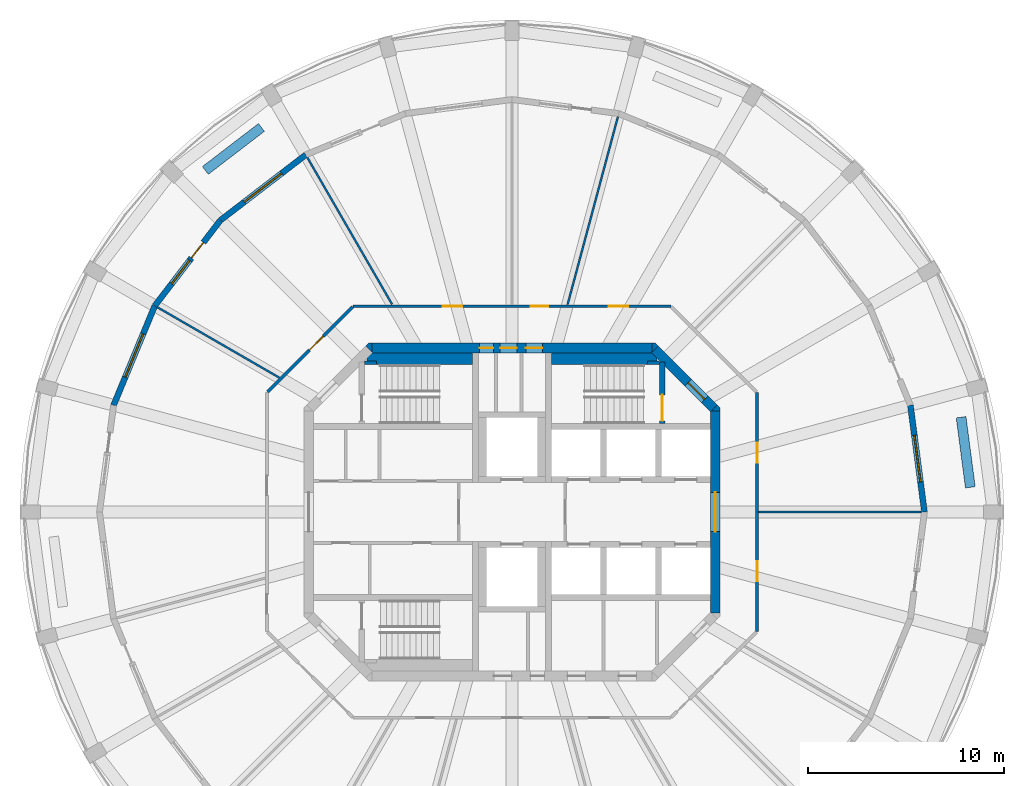
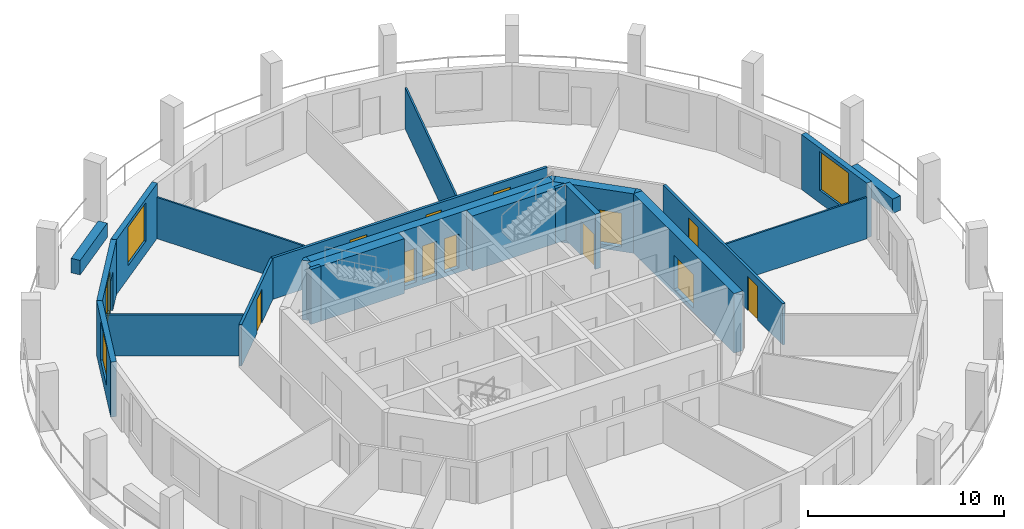
# One storey, part 5 of 8: 24 walls, 13 doors, 4 windows, 17 openings.
"""IFC4 building model written with IfcOpenShell, lengths in metres."""

from ifc_helpers import new_model, si_unit, direction, frame, frame_2d, origin, place, context, subcontext, project, spatial, polyline, rectangle, outline, extrude, material, layer, layer_set, type_object, element, fill, save


model = new_model("IFC4")

# Units and contexts
model_context = context("Model", 3, precision=1e-05, world=origin(), true_north=direction((0.0, 1.0)))
body_context = subcontext(model_context, "Body", "Model", "MODEL_VIEW")
ifc_project = project(units=[si_unit("LENGTHUNIT", "METRE"), si_unit("AREAUNIT", "SQUARE_METRE"), si_unit("VOLUMEUNIT", "CUBIC_METRE"), si_unit("PLANEANGLEUNIT", "RADIAN"), si_unit("MASSUNIT", "GRAM", prefix="KILO")], contexts=[model_context])

# Site, building, storey
site_placement = place(None, origin())
site = spatial("IfcSite", under=ifc_project, at=site_placement, CompositionType="ELEMENT")
building_placement = place(site_placement, origin())
building = spatial("IfcBuilding", under=site, at=building_placement, Name="Torre Triforio", CompositionType="ELEMENT")
storey_placement = place(building_placement, frame((0.0, 0.0, 261.199951171875)))
storey = spatial("IfcBuildingStorey", under=building, at=storey_placement, Name="L60", CompositionType="ELEMENT", Elevation=261.199951171875)

# Wall, openings, doors
ifc_material_1 = material(Name="Concrete C40", Category="concrete")
ifc_layer_1 = layer(ifc_material_1, 0.5)
ifc_layer_set_1 = layer_set([ifc_layer_1], Name="Concrete C40")
wall_type_1 = type_object("IfcWallType", Name="Core wall 500 mm C40 EI 120", PredefinedType="SHEAR", material=ifc_layer_set_1)
wall_1_placement = place(storey_placement, frame((-7.1298828125, 8.35009765625, -0.280029296875), z_axis=(0.0, 0.0, 1.0), x_axis=(1.0, 0.0, 0.0)))
wall_1 = element("IfcWall", 1, at=wall_1_placement, inside=storey, type_object=wall_type_1, Name="Core wall", PredefinedType="SHEAR", context=body_context, shape_type="SweptSolid", body=[
    extrude(rectangle(XDim=14.259765625, YDim=0.5, at=frame_2d((7.1298828125, 0.0))), origin(), (0.0, 0.0, 1.0), 3.7001953125),
])
opening_1_placement = place(wall_1_placement, frame((5.47998046875, 0.0, 0.280029296875)))
opening_1 = element("IfcOpeningElement", 2, at=opening_1_placement, cuts=wall_1, Name="Opening RISER-N", PredefinedType="OPENING", context=body_context, shape_type="SweptSolid", body=[
    extrude(rectangle(XDim=0.699951171875, YDim=2.10009765625, at=frame_2d((0.35009765625, 1.050048828125))), frame((0.0, 0.260009765625, 0.0), z_axis=(0.0, -1.0, 0.0), x_axis=(1.0, 0.0, 0.0)), (0.0, 0.0, 1.0), 0.52001953125),
])
opening_2_placement = place(wall_1_placement, frame((6.530029296875, 0.0, 0.280029296875)))
opening_2 = element("IfcOpeningElement", 3, at=opening_2_placement, cuts=wall_1, Name="Opening NE-01A", PredefinedType="OPENING", context=body_context, shape_type="SweptSolid", body=[
    extrude(rectangle(XDim=0.85009765625, YDim=2.10009765625, at=frame_2d((0.425048828125, 1.050048828125))), frame((0.0, 0.260009765625, 0.0), z_axis=(0.0, -1.0, 0.0), x_axis=(1.0, 0.0, 0.0)), (0.0, 0.0, 1.0), 0.52001953125),
])
opening_3_placement = place(wall_1_placement, frame((7.830078125, 0.0, 0.280029296875)))
opening_3 = element("IfcOpeningElement", 4, at=opening_3_placement, cuts=wall_1, Name="Opening NE-02", PredefinedType="OPENING", context=body_context, shape_type="SweptSolid", body=[
    extrude(rectangle(XDim=0.85009765625, YDim=2.10009765625, at=frame_2d((0.425048828125, 1.050048828125))), frame((0.0, 0.260009765625, 0.0), z_axis=(0.0, -1.0, 0.0), x_axis=(1.0, 0.0, 0.0)), (0.0, 0.0, 1.0), 0.52001953125),
])
ifc_material_2 = material(Name="Hollow metal fire door leaf")
door_type_1 = type_object("IfcDoorType", Name="Plant room door 850 x 2100 EI 60", OperationType="NOTDEFINED", PredefinedType="DOOR", material=ifc_material_2)
door_1_placement = place(opening_3_placement, origin())
door_1 = element("IfcDoor", 5, at=door_1_placement, inside=storey, type_object=door_type_1, Name="Core door NE-02", OperationType="SINGLE_SWING_RIGHT", OverallHeight=2.10009765625, OverallWidth=0.85009765625, PredefinedType="DOOR", context=body_context, shape_type="SweptSolid", body=[
    extrude(rectangle(XDim=0.85009765625, YDim=2.10009765625, at=frame_2d((0.425048828125, 1.050048828125))), frame((0.0, 0.02490234375, 0.0), z_axis=(0.0, -1.0, 0.0), x_axis=(1.0, 0.0, 0.0)), (0.0, 0.0, 1.0), 0.050048828125),
])
fill(opening_3, door_1)
door_type_2 = type_object("IfcDoorType", Name="Riser door 700 x 2100 EI 60", OperationType="NOTDEFINED", PredefinedType="DOOR", material=ifc_material_2)
door_2_placement = place(opening_1_placement, origin())
door_2 = element("IfcDoor", 6, at=door_2_placement, inside=storey, type_object=door_type_2, Name="Core door RISER-N", OperationType="SINGLE_SWING_LEFT", OverallHeight=2.10009765625, OverallWidth=0.699951171875, PredefinedType="DOOR", context=body_context, shape_type="SweptSolid", body=[
    extrude(rectangle(XDim=0.699951171875, YDim=2.10009765625, at=frame_2d((0.35009765625, 1.050048828125))), frame((0.0, 0.02490234375, 0.0), z_axis=(0.0, -1.0, 0.0), x_axis=(1.0, 0.0, 0.0)), (0.0, 0.0, 1.0), 0.050048828125),
])
fill(opening_1, door_2)
door_type_3 = type_object("IfcDoorType", Name="Room door 850 x 2100 EI 60", OperationType="NOTDEFINED", PredefinedType="DOOR", material=ifc_material_2)
door_3_placement = place(opening_2_placement, origin())
door_3 = element("IfcDoor", 7, at=door_3_placement, inside=storey, type_object=door_type_3, Name="Core door NE-01", OperationType="SINGLE_SWING_LEFT", OverallHeight=2.10009765625, OverallWidth=0.85009765625, PredefinedType="DOOR", context=body_context, shape_type="SweptSolid", body=[
    extrude(rectangle(XDim=0.85009765625, YDim=2.10009765625, at=frame_2d((0.425048828125, 1.050048828125))), frame((0.0, 0.02490234375, 0.0), z_axis=(0.0, -1.0, 0.0), x_axis=(1.0, 0.0, 0.0)), (0.0, 0.0, 1.0), 0.050048828125),
])
fill(opening_2, door_3)

# Wall, opening, door
wall_2_placement = place(storey_placement, frame((10.35009765625, -5.1298828125, -0.280029296875), z_axis=(0.0, 0.0, 1.0), x_axis=(0.0, 1.0, 0.0)))
wall_2 = element("IfcWall", 8, at=wall_2_placement, inside=storey, type_object=wall_type_1, Name="Core wall", PredefinedType="SHEAR", context=body_context, shape_type="SweptSolid", body=[
    extrude(rectangle(XDim=10.259765625, YDim=0.5, at=frame_2d((5.1298828125, 0.0))), origin(), (0.0, 0.0, 1.0), 3.7001953125),
])
opening_4_placement = place(wall_2_placement, frame((4.1298828125, 0.0, 0.280029296875)))
opening_4 = element("IfcOpeningElement", 9, at=opening_4_placement, cuts=wall_2, Name="Opening E-RING", PredefinedType="OPENING", context=body_context, shape_type="SweptSolid", body=[
    extrude(rectangle(XDim=2.0, YDim=2.10009765625, at=frame_2d((1.0, 1.050048828125))), frame((0.0, 0.260009765625, 0.0), z_axis=(0.0, -1.0, 0.0), x_axis=(1.0, 0.0, 0.0)), (0.0, 0.0, 1.0), 0.52001953125),
])
door_type_4 = type_object("IfcDoorType", Name="Lobby door 2000 x 2100 EI 60", OperationType="DOUBLE_DOOR_SINGLE_SWING", PredefinedType="DOOR", material=ifc_material_2)
door_4_placement = place(opening_4_placement, origin())
door_4 = element("IfcDoor", 10, at=door_4_placement, inside=storey, type_object=door_type_4, Name="Core door E-RING", OperationType="DOUBLE_DOOR_SINGLE_SWING", OverallHeight=2.10009765625, OverallWidth=2.0, PredefinedType="DOOR", context=body_context, shape_type="SweptSolid", body=[
    extrude(rectangle(XDim=2.0, YDim=2.10009765625, at=frame_2d((1.0, 1.050048828125))), frame((0.0, 0.02490234375, 0.0), z_axis=(0.0, -1.0, 0.0), x_axis=(1.0, 0.0, 0.0)), (0.0, 0.0, 1.0), 0.050048828125),
])
fill(opening_4, door_4)

wall_3_placement = place(storey_placement, frame((7.27685546875, 8.27685546875, -0.280029296875), z_axis=(0.0, 0.0, 1.0), x_axis=(0.707106781187, -0.707106781187, 0.0)))
wall_3 = element("IfcWall", 11, at=wall_3_placement, inside=storey, type_object=wall_type_1, Name="Core wall", PredefinedType="SHEAR", context=body_context, shape_type="SweptSolid", body=[
    extrude(rectangle(XDim=4.24267578125, YDim=0.5, at=frame_2d((2.121337890625, 0.0))), origin(), (0.0, 0.0, 1.0), 3.7001953125),
])
opening_5_placement = place(wall_3_placement, frame((2.392578125, 0.0, 0.280029296875)))
opening_5 = element("IfcOpeningElement", 12, at=opening_5_placement, cuts=wall_3, Name="Opening ST2-EXIT", PredefinedType="OPENING", context=body_context, shape_type="SweptSolid", body=[
    extrude(rectangle(XDim=1.199951171875, YDim=2.10009765625, at=frame_2d((0.60009765625, 1.050048828125))), frame((0.0, 0.260009765625, 0.0), z_axis=(0.0, -1.0, 0.0), x_axis=(1.0, 0.0, 0.0)), (0.0, 0.0, 1.0), 0.52001953125),
])
door_type_5 = type_object("IfcDoorType", Name="Stair lobby door 1200 x 2100 EI 60", OperationType="NOTDEFINED", PredefinedType="DOOR", material=ifc_material_2)
door_5_placement = place(opening_5_placement, origin())
door_5 = element("IfcDoor", 13, at=door_5_placement, inside=storey, type_object=door_type_5, Name="Core door ST2-EXIT", OperationType="SINGLE_SWING_RIGHT", OverallHeight=2.10009765625, OverallWidth=1.199951171875, PredefinedType="DOOR", context=body_context, shape_type="SweptSolid", body=[
    extrude(rectangle(XDim=1.199951171875, YDim=2.10009765625, at=frame_2d((0.60009765625, 1.050048828125))), frame((0.0, 0.02490234375, 0.0), z_axis=(0.0, -1.0, 0.0), x_axis=(1.0, 0.0, 0.0)), (0.0, 0.0, 1.0), 0.050048828125),
])
fill(opening_5, door_5)

# Walls
wall_4_placement = place(storey_placement, frame((0.0, 0.0, -0.280029296875)))
element("IfcWall", 14, at=wall_4_placement, inside=storey, type_object=wall_type_1, Name="Core wall", PredefinedType="SHEAR", context=body_context, shape_type="SweptSolid", body=[
    extrude(outline(polyline([(10.60009765625, 5.30712890625), (10.60009765625, 5.1298828125), (10.1298828125, 5.1298828125), (10.45361328125, 5.45361328125), (10.60009765625, 5.30712890625)])), origin(), (0.0, 0.0, 1.0), 3.7001953125),
])
wall_5_placement = place(storey_placement, frame((0.0, 0.0, -0.280029296875)))
element("IfcWall", 15, at=wall_5_placement, inside=storey, type_object=wall_type_1, Name="Core wall", PredefinedType="SHEAR", context=body_context, shape_type="SweptSolid", body=[
    extrude(outline(polyline([(-7.30712890625, 8.60009765625), (-7.1298828125, 8.60009765625), (-7.1298828125, 8.1298828125), (-7.45361328125, 8.45361328125), (-7.30712890625, 8.60009765625)])), origin(), (0.0, 0.0, 1.0), 3.7001953125),
])
wall_6_placement = place(storey_placement, frame((0.0, 0.0, -0.280029296875)))
element("IfcWall", 16, at=wall_6_placement, inside=storey, type_object=wall_type_1, Name="Core wall", PredefinedType="SHEAR", context=body_context, shape_type="SweptSolid", body=[
    extrude(outline(polyline([(7.30712890625, 8.60009765625), (7.45361328125, 8.45361328125), (7.1298828125, 8.1298828125), (7.1298828125, 8.60009765625), (7.30712890625, 8.60009765625)])), origin(), (0.0, 0.0, 1.0), 3.7001953125),
])

# Wall, opening, door
ifc_material_3 = material(Name="Plasterboard on metal studs")
ifc_layer_2 = layer(ifc_material_3, 0.14990234375)
ifc_layer_set_2 = layer_set([ifc_layer_2], Name="Plasterboard on metal studs")
wall_type_2 = type_object("IfcWallType", Name="Corridor and tenancy wall 150 mm EI 60", PredefinedType="PARTITIONING", material=ifc_layer_set_2)
wall_7_placement = place(storey_placement, frame((-12.43798828125, 6.120849609375, 0.0), z_axis=(0.0, 0.0, 1.0), x_axis=(0.707106781187, 0.707106781187, 0.0)))
wall_7 = element("IfcWall", 17, at=wall_7_placement, inside=storey, type_object=wall_type_2, Name="Partition 5", PredefinedType="PARTITIONING", context=body_context, shape_type="SweptSolid", body=[
    extrude(rectangle(XDim=6.10546875, YDim=0.14990234375, at=frame_2d((3.052734375, 0.0))), origin(), (0.0, 0.0, 1.0), 2.570068359375),
])
opening_6_placement = place(wall_7_placement, frame((3.001953125, 0.0, 0.0)))
opening_6 = element("IfcOpeningElement", 18, at=opening_6_placement, cuts=wall_7, Name="Opening E1-04", PredefinedType="OPENING", context=body_context, shape_type="SweptSolid", body=[
    extrude(rectangle(XDim=1.0, YDim=2.10009765625, at=frame_2d((0.5, 1.050048828125))), frame((0.0, 0.0849609375, 0.0), z_axis=(0.0, -1.0, 0.0), x_axis=(1.0, 0.0, 0.0)), (0.0, 0.0, 1.0), 0.169921875),
])
ifc_material_4 = material(Name="Timber", Category="wood")
door_type_6 = type_object("IfcDoorType", Name="Door 1000 x 2100 single leaf EI 30", OperationType="NOTDEFINED", PredefinedType="DOOR", material=ifc_material_4)
door_6_placement = place(opening_6_placement, origin())
door_6 = element("IfcDoor", 19, at=door_6_placement, inside=storey, type_object=door_type_6, Name="Door E1-04", OperationType="SINGLE_SWING_LEFT", OverallHeight=2.10009765625, OverallWidth=1.0, PredefinedType="DOOR", context=body_context, shape_type="SweptSolid", body=[
    extrude(rectangle(XDim=1.0, YDim=2.10009765625, at=frame_2d((0.5, 1.050048828125))), frame((0.0, 0.02490234375, 0.0), z_axis=(0.0, -1.0, 0.0), x_axis=(1.0, 0.0, 0.0)), (0.0, 0.0, 1.0), 0.050048828125),
])
fill(opening_6, door_6)

# Wall, openings, doors
wall_8_placement = place(storey_placement, frame((-8.083740234375, 10.47509765625, 0.0), z_axis=(0.0, 0.0, 1.0), x_axis=(1.0, 0.0, 0.0)))
wall_8 = element("IfcWall", 20, at=wall_8_placement, inside=storey, type_object=wall_type_2, Name="Partition 6", PredefinedType="PARTITIONING", context=body_context, shape_type="SweptSolid", body=[
    extrude(rectangle(XDim=16.16748046875, YDim=0.14990234375, at=frame_2d((8.083740234375, 0.0))), origin(), (0.0, 0.0, 1.0), 2.570068359375),
])
opening_7_placement = place(wall_8_placement, frame((13.00390625, 0.0, 0.0)))
opening_7 = element("IfcOpeningElement", 21, at=opening_7_placement, cuts=wall_8, Name="Opening E1-01", PredefinedType="OPENING", context=body_context, shape_type="SweptSolid", body=[
    extrude(rectangle(XDim=1.0, YDim=2.10009765625, at=frame_2d((0.5, 1.050048828125))), frame((0.0, 0.0849609375, 0.0), z_axis=(0.0, -1.0, 0.0), x_axis=(1.0, 0.0, 0.0)), (0.0, 0.0, 1.0), 0.169921875),
])
opening_8_placement = place(wall_8_placement, frame((9.0380859375, 0.0, 0.0)))
opening_8 = element("IfcOpeningElement", 22, at=opening_8_placement, cuts=wall_8, Name="Opening E1-02", PredefinedType="OPENING", context=body_context, shape_type="SweptSolid", body=[
    extrude(rectangle(XDim=0.89990234375, YDim=2.10009765625, at=frame_2d((0.449951171875, 1.050048828125))), frame((0.0, 0.0849609375, 0.0), z_axis=(0.0, -1.0, 0.0), x_axis=(1.0, 0.0, 0.0)), (0.0, 0.0, 1.0), 0.169921875),
])
opening_9_placement = place(wall_8_placement, frame((4.555908203125, 0.0, 0.0)))
opening_9 = element("IfcOpeningElement", 23, at=opening_9_placement, cuts=wall_8, Name="Opening E1-03", PredefinedType="OPENING", context=body_context, shape_type="SweptSolid", body=[
    extrude(rectangle(XDim=1.0, YDim=2.10009765625, at=frame_2d((0.5, 1.050048828125))), frame((0.0, 0.0849609375, 0.0), z_axis=(0.0, -1.0, 0.0), x_axis=(1.0, 0.0, 0.0)), (0.0, 0.0, 1.0), 0.169921875),
])
door_7_placement = place(opening_7_placement, origin())
door_7 = element("IfcDoor", 24, at=door_7_placement, inside=storey, type_object=door_type_6, Name="Door E1-01", OperationType="SINGLE_SWING_LEFT", OverallHeight=2.10009765625, OverallWidth=1.0, PredefinedType="DOOR", context=body_context, shape_type="SweptSolid", body=[
    extrude(rectangle(XDim=1.0, YDim=2.10009765625, at=frame_2d((0.5, 1.050048828125))), frame((0.0, 0.02490234375, 0.0), z_axis=(0.0, -1.0, 0.0), x_axis=(1.0, 0.0, 0.0)), (0.0, 0.0, 1.0), 0.050048828125),
])
fill(opening_7, door_7)
door_8_placement = place(opening_9_placement, origin())
door_8 = element("IfcDoor", 25, at=door_8_placement, inside=storey, type_object=door_type_6, Name="Door E1-03", OperationType="SINGLE_SWING_LEFT", OverallHeight=2.10009765625, OverallWidth=1.0, PredefinedType="DOOR", context=body_context, shape_type="SweptSolid", body=[
    extrude(rectangle(XDim=1.0, YDim=2.10009765625, at=frame_2d((0.5, 1.050048828125))), frame((0.0, 0.02490234375, 0.0), z_axis=(0.0, -1.0, 0.0), x_axis=(1.0, 0.0, 0.0)), (0.0, 0.0, 1.0), 0.050048828125),
])
fill(opening_9, door_8)
door_type_7 = type_object("IfcDoorType", Name="Door 900 x 2100 single leaf EI 30", OperationType="NOTDEFINED", PredefinedType="DOOR", material=ifc_material_4)
door_9_placement = place(opening_8_placement, origin())
door_9 = element("IfcDoor", 26, at=door_9_placement, inside=storey, type_object=door_type_7, Name="Door E1-02", OperationType="SINGLE_SWING_LEFT", OverallHeight=2.10009765625, OverallWidth=0.89990234375, PredefinedType="DOOR", context=body_context, shape_type="SweptSolid", body=[
    extrude(rectangle(XDim=0.89990234375, YDim=2.10009765625, at=frame_2d((0.449951171875, 1.050048828125))), frame((0.0, 0.02490234375, 0.0), z_axis=(0.0, -1.0, 0.0), x_axis=(1.0, 0.0, 0.0)), (0.0, 0.0, 1.0), 0.050048828125),
])
fill(opening_8, door_9)

wall_9_placement = place(storey_placement, frame((12.47509765625, 6.083740234375, 0.0), z_axis=(0.0, 0.0, 1.0), x_axis=(0.0, -1.0, 0.0)))
wall_9 = element("IfcWall", 27, at=wall_9_placement, inside=storey, type_object=wall_type_2, Name="Partition 8", PredefinedType="PARTITIONING", context=body_context, shape_type="SweptSolid", body=[
    extrude(rectangle(XDim=12.16748046875, YDim=0.14990234375, at=frame_2d((6.083740234375, 0.0))), origin(), (0.0, 0.0, 1.0), 2.570068359375),
])
opening_10_placement = place(wall_9_placement, frame((8.6005859375, 0.0, 0.0)))
opening_10 = element("IfcOpeningElement", 28, at=opening_10_placement, cuts=wall_9, Name="Opening E1-14", PredefinedType="OPENING", context=body_context, shape_type="SweptSolid", body=[
    extrude(rectangle(XDim=1.0, YDim=2.10009765625, at=frame_2d((0.5, 1.050048828125))), frame((0.0, 0.0849609375, 0.0), z_axis=(0.0, -1.0, 0.0), x_axis=(1.0, 0.0, 0.0)), (0.0, 0.0, 1.0), 0.169921875),
])
opening_11_placement = place(wall_9_placement, frame((2.56689453125, 0.0, 0.0)))
opening_11 = element("IfcOpeningElement", 29, at=opening_11_placement, cuts=wall_9, Name="Opening E1-15", PredefinedType="OPENING", context=body_context, shape_type="SweptSolid", body=[
    extrude(rectangle(XDim=1.0, YDim=2.10009765625, at=frame_2d((0.5, 1.050048828125))), frame((0.0, 0.0849609375, 0.0), z_axis=(0.0, -1.0, 0.0), x_axis=(1.0, 0.0, 0.0)), (0.0, 0.0, 1.0), 0.169921875),
])
door_10_placement = place(opening_10_placement, origin())
door_10 = element("IfcDoor", 30, at=door_10_placement, inside=storey, type_object=door_type_6, Name="Door E1-14", OperationType="SINGLE_SWING_LEFT", OverallHeight=2.10009765625, OverallWidth=1.0, PredefinedType="DOOR", context=body_context, shape_type="SweptSolid", body=[
    extrude(rectangle(XDim=1.0, YDim=2.10009765625, at=frame_2d((0.5, 1.050048828125))), frame((0.0, 0.02490234375, 0.0), z_axis=(0.0, -1.0, 0.0), x_axis=(1.0, 0.0, 0.0)), (0.0, 0.0, 1.0), 0.050048828125),
])
fill(opening_10, door_10)
door_11_placement = place(opening_11_placement, origin())
door_11 = element("IfcDoor", 31, at=door_11_placement, inside=storey, type_object=door_type_6, Name="Door E1-15", OperationType="SINGLE_SWING_LEFT", OverallHeight=2.10009765625, OverallWidth=1.0, PredefinedType="DOOR", context=body_context, shape_type="SweptSolid", body=[
    extrude(rectangle(XDim=1.0, YDim=2.10009765625, at=frame_2d((0.5, 1.050048828125))), frame((0.0, 0.02490234375, 0.0), z_axis=(0.0, -1.0, 0.0), x_axis=(1.0, 0.0, 0.0)), (0.0, 0.0, 1.0), 0.050048828125),
])
fill(opening_11, door_11)

# Walls
ifc_layer_3 = layer(ifc_material_3, 0.10009765625)
ifc_layer_set_3 = layer_set([ifc_layer_3], Name="Plasterboard on metal studs")
wall_type_3 = type_object("IfcWallType", Name="Partition 100 mm board on metal studs", PredefinedType="PARTITIONING", material=ifc_layer_set_3)
wall_10_placement = place(storey_placement, frame((12.550048828125, 0.0, 0.0), z_axis=(0.0, 0.0, 1.0), x_axis=(1.0, 0.0, 0.0)))
element("IfcWall", 32, at=wall_10_placement, inside=storey, type_object=wall_type_3, Name="Partition 9", PredefinedType="PARTITIONING", context=body_context, shape_type="SweptSolid", body=[
    extrude(rectangle(XDim=8.28662109375, YDim=0.10009765625, at=frame_2d((4.143310546875, 0.0))), origin(), (0.0, 0.0, 1.0), 2.570068359375),
])
wall_11_placement = place(storey_placement, frame((2.830810546875, 10.564208984375, 0.0), z_axis=(0.0, 0.0, 1.0), x_axis=(0.258795254151, 0.965932200741, 0.0)))
element("IfcWall", 33, at=wall_11_placement, inside=storey, type_object=wall_type_3, Name="Partition 11", PredefinedType="PARTITIONING", context=body_context, shape_type="SweptSolid", body=[
    extrude(rectangle(XDim=9.899658203125, YDim=0.10009765625, at=frame_2d((4.94970703125, 0.0))), origin(), (0.0, 0.0, 1.0), 2.570068359375),
])
wall_12_placement = place(storey_placement, frame((-6.105224609375, 10.57470703125, 0.0), z_axis=(0.0, 0.0, 1.0), x_axis=(-0.50001399067, 0.866017326117, 0.0)))
element("IfcWall", 34, at=wall_12_placement, inside=storey, type_object=wall_type_3, Name="Partition 13", PredefinedType="PARTITIONING", context=body_context, shape_type="SweptSolid", body=[
    extrude(rectangle(XDim=8.626220703125, YDim=0.10009765625, at=frame_2d((4.31298828125, 0.0))), origin(), (0.0, 0.0, 1.0), 2.570068359375),
])
wall_13_placement = place(storey_placement, frame((-11.845947265625, 6.839111328125, 0.0), z_axis=(0.0, 0.0, 1.0), x_axis=(-0.866011787705, 0.500023583, 0.0)))
element("IfcWall", 35, at=wall_13_placement, inside=storey, type_object=wall_type_3, Name="Partition 14", PredefinedType="PARTITIONING", context=body_context, shape_type="SweptSolid", body=[
    extrude(rectangle(XDim=7.158447265625, YDim=0.10009765625, at=frame_2d((3.5791015625, 0.0))), origin(), (0.0, 0.0, 1.0), 2.570068359375),
])
ifc_material_5 = material(Name="Limestone cladding", Category="masonry")
ifc_layer_4 = layer(ifc_material_5, 0.10009765625)
ifc_layer_5 = layer(ifc_material_1, 0.39990234375)
ifc_layer_set_4 = layer_set([ifc_layer_4, ifc_layer_5], Name="Limestone cladding / Concrete C40")
wall_type_4 = type_object("IfcWallType", Name="Planter wall 500", PredefinedType="PARAPET", material=ifc_layer_set_4)
for number, where, z_axis, x_axis, name in (
    (36, (23.335693359375, 1.256591796875, 0.0), (0.0, 0.0, 1.0), (-0.130542222659, 0.991442750795, 0.0), "Planter L60 bay 01"),
    (37, (-12.756103515625, 19.580810546875, 0.0), (0.0, 0.0, 1.0), (-0.793384730612, -0.608720518162, 0.0), "Planter L60 bay 09"),
):
    element("IfcWall", number, at=place(storey_placement, frame(where, z_axis=z_axis, x_axis=x_axis)), inside=storey, type_object=wall_type_4, Name=name, PredefinedType="PARAPET", context=body_context, shape_type="SweptSolid", body=[
        extrude(rectangle(XDim=3.60009765625, YDim=0.5, at=frame_2d((1.800048828125, 0.0))), origin(), (0.0, 0.0, 1.0), 0.900146484375),
    ])
ifc_layer_6 = layer(ifc_material_1, 0.199951171875)
ifc_layer_set_5 = layer_set([ifc_layer_6], Name="Concrete C40")
wall_type_5 = type_object("IfcWallType", Name="Stair wall 200 mm C40 EI 120", PredefinedType="SHEAR", material=ifc_layer_set_5)
for number, where, z_axis, x_axis, name in (
    (38, (-7.5, 7.60009765625, 0.0), (0.0, 0.0, 1.0), (1.0, 0.0, 0.0), "Stair wall"),
    (39, (6.89990234375, 7.60009765625, 0.0), (0.0, 0.0, 1.0), (1.0, 0.0, 0.0), "Stair wall"),
):
    element("IfcWall", number, at=place(storey_placement, frame(where, z_axis=z_axis, x_axis=x_axis)), inside=storey, type_object=wall_type_5, Name=name, PredefinedType="SHEAR", context=body_context, shape_type="SweptSolid", body=[
        extrude(rectangle(XDim=0.60009765625, YDim=0.199951171875, at=frame_2d((0.300048828125, 0.0))), origin(), (0.0, 0.0, 1.0), 3.420166015625),
    ])

# Wall, opening, door
ifc_layer_7 = layer(ifc_material_1, 0.300048828125)
ifc_layer_set_6 = layer_set([ifc_layer_7], Name="Concrete C40")
wall_type_6 = type_object("IfcWallType", Name="Stair wall 300 mm C40 EI 120", PredefinedType="SHEAR", material=ifc_layer_set_6)
wall_14_placement = place(storey_placement, frame((7.64990234375, 4.5, 0.0), z_axis=(0.0, 0.0, 1.0), x_axis=(0.0, 1.0, 0.0)))
wall_14 = element("IfcWall", 40, at=wall_14_placement, inside=storey, type_object=wall_type_6, Name="Stair wall", PredefinedType="SHEAR", context=body_context, shape_type="SweptSolid", body=[
    extrude(rectangle(XDim=3.139892578125, YDim=0.300048828125, at=frame_2d((1.56982421875, 0.0))), origin(), (0.0, 0.0, 1.0), 3.420166015625),
])
opening_12_placement = place(wall_14_placement, frame((0.139892578125, 0.0, 0.0)))
opening_12 = element("IfcOpeningElement", 41, at=opening_12_placement, cuts=wall_14, Name="Opening ST2-STA", PredefinedType="OPENING", context=body_context, shape_type="SweptSolid", body=[
    extrude(rectangle(XDim=1.320068359375, YDim=2.10009765625, at=frame_2d((0.66015625, 1.050048828125))), frame((0.0, 0.159912109375, 0.0), z_axis=(0.0, -1.0, 0.0), x_axis=(1.0, 0.0, 0.0)), (0.0, 0.0, 1.0), 0.320068359375),
])
door_type_8 = type_object("IfcDoorType", Name="Stair door 1320 x 2100 EI 90", OperationType="DOUBLE_DOOR_SINGLE_SWING", PredefinedType="DOOR", material=ifc_material_2)
door_12_placement = place(opening_12_placement, origin())
door_12 = element("IfcDoor", 42, at=door_12_placement, inside=storey, type_object=door_type_8, Name="Core door ST2-ST", OperationType="DOUBLE_DOOR_SINGLE_SWING", OverallHeight=2.10009765625, OverallWidth=1.320068359375, PredefinedType="DOOR", context=body_context, shape_type="SweptSolid", body=[
    extrude(rectangle(XDim=1.320068359375, YDim=2.10009765625, at=frame_2d((0.66015625, 1.050048828125))), frame((0.0, 0.02490234375, 0.0), z_axis=(0.0, -1.0, 0.0), x_axis=(1.0, 0.0, 0.0)), (0.0, 0.0, 1.0), 0.050048828125),
])
fill(opening_12, door_12)

# Walls
ifc_layer_8 = layer(ifc_material_1, 0.60009765625)
ifc_layer_set_7 = layer_set([ifc_layer_8], Name="Concrete C40")
wall_type_7 = type_object("IfcWallType", Name="Stair wall 600 mm C40 EI 120", PredefinedType="SHEAR", material=ifc_layer_set_7)
for number, where, z_axis, x_axis, name in (
    (43, (-7.3701171875, 7.800048828125, 0.0), (0.0, 0.0, 1.0), (1.0, 0.0, 0.0), "Stair wall"),
    (44, (2.0, 7.800048828125, 0.0), (0.0, 0.0, 1.0), (1.0, 0.0, 0.0), "Stair wall"),
):
    element("IfcWall", number, at=place(storey_placement, frame(where, z_axis=z_axis, x_axis=x_axis)), inside=storey, type_object=wall_type_7, Name=name, PredefinedType="SHEAR", context=body_context, shape_type="SweptSolid", body=[
        extrude(rectangle(XDim=5.3701171875, YDim=0.60009765625, at=frame_2d((2.68505859375, 0.0))), origin(), (0.0, 0.0, 1.0), 3.420166015625),
    ])

# Wall, opening, window
ifc_layer_9 = layer(ifc_material_5, 0.10009765625)
ifc_layer_10 = layer(ifc_material_1, 0.199951171875)
ifc_layer_set_8 = layer_set([ifc_layer_9, ifc_layer_10], Name="Limestone cladding / Concrete C40")
wall_type_8 = type_object("IfcWallType", Name="Stone-faced composite wall 300", PredefinedType="STANDARD", material=ifc_layer_set_8)
wall_15_placement = place(storey_placement, frame((21.0, 0.0, 0.0), z_axis=(0.0, 0.0, 1.0), x_axis=(-0.130527087244, 0.991444743541, 0.0)))
wall_15 = element("IfcWall", 45, at=wall_15_placement, inside=storey, type_object=wall_type_8, Name="External wall L60 bay 01", PredefinedType="STANDARD", context=body_context, shape_type="SweptSolid", body=[
    extrude(rectangle(XDim=5.482177734375, YDim=0.300048828125, at=frame_2d((2.7412109375, 0.0))), origin(), (0.0, 0.0, 1.0), 3.420166015625),
])
opening_13_placement = place(wall_15_placement, frame((1.541015625, 0.0, 0.800048828125)))
opening_13 = element("IfcOpeningElement", 46, at=opening_13_placement, cuts=wall_15, Name="Opening E1-W01", PredefinedType="OPENING", context=body_context, shape_type="SweptSolid", body=[
    extrude(rectangle(XDim=2.39990234375, YDim=2.39990234375, at=frame_2d((1.199951171875, 1.199951171875))), frame((0.0, 0.159912109375, 0.0), z_axis=(0.0, -1.0, 0.0), x_axis=(1.0, 0.0, 0.0)), (0.0, 0.0, 1.0), 0.320068359375),
])
ifc_material_6 = material(Name="Aluminium frame with clear double glazing", Category="aluminium")
window_type_1 = type_object("IfcWindowType", Name="Punched window 2400 x 2400", PartitioningType="DOUBLE_PANEL_VERTICAL", PredefinedType="WINDOW", material=ifc_material_6)
window_1_placement = place(opening_13_placement, origin())
window_1 = element("IfcWindow", 47, at=window_1_placement, inside=storey, type_object=window_type_1, Name="Window EWN4 L60 bay 01", OverallHeight=2.39990234375, OverallWidth=2.39990234375, PartitioningType="SINGLE_PANEL", PredefinedType="WINDOW", context=body_context, shape_type="SweptSolid", body=[
    extrude(rectangle(XDim=2.39990234375, YDim=2.39990234375, at=frame_2d((1.199951171875, 1.199951171875))), frame((0.0, 0.030029296875, 0.0), z_axis=(0.0, -1.0, 0.0), x_axis=(1.0, 0.0, 0.0)), (0.0, 0.0, 1.0), 0.06005859375),
])
fill(opening_13, window_1)

wall_16_placement = place(storey_placement, frame((-10.5, 18.1865234375, 0.0), z_axis=(0.0, 0.0, 1.0), x_axis=(-0.793335336593, -0.608784891166, 0.0)))
wall_16 = element("IfcWall", 48, at=wall_16_placement, inside=storey, type_object=wall_type_8, Name="External wall L60 bay 09", PredefinedType="STANDARD", context=body_context, shape_type="SweptSolid", body=[
    extrude(rectangle(XDim=5.482177734375, YDim=0.300048828125, at=frame_2d((2.7412109375, 0.0))), origin(), (0.0, 0.0, 1.0), 3.420166015625),
])
opening_14_placement = place(wall_16_placement, frame((1.541015625, 0.0, 0.800048828125)))
opening_14 = element("IfcOpeningElement", 49, at=opening_14_placement, cuts=wall_16, Name="Opening E1-W09", PredefinedType="OPENING", context=body_context, shape_type="SweptSolid", body=[
    extrude(rectangle(XDim=2.39990234375, YDim=2.39990234375, at=frame_2d((1.199951171875, 1.199951171875))), frame((0.0, 0.159912109375, 0.0), z_axis=(0.0, -1.0, 0.0), x_axis=(1.0, 0.0, 0.0)), (0.0, 0.0, 1.0), 0.320068359375),
])
window_2_placement = place(opening_14_placement, origin())
window_2 = element("IfcWindow", 50, at=window_2_placement, inside=storey, type_object=window_type_1, Name="Window EWN4 L60 bay 09", OverallHeight=2.39990234375, OverallWidth=2.39990234375, PartitioningType="SINGLE_PANEL", PredefinedType="WINDOW", context=body_context, shape_type="SweptSolid", body=[
    extrude(rectangle(XDim=2.39990234375, YDim=2.39990234375, at=frame_2d((1.199951171875, 1.199951171875))), frame((0.0, 0.030029296875, 0.0), z_axis=(0.0, -1.0, 0.0), x_axis=(1.0, 0.0, 0.0)), (0.0, 0.0, 1.0), 0.06005859375),
])
fill(opening_14, window_2)

# Wall, openings, door, window
wall_17_placement = place(storey_placement, frame((-14.84912109375, 14.84912109375, 0.0), z_axis=(0.0, 0.0, 1.0), x_axis=(-0.608784891166, -0.793335336593, 0.0)))
wall_17 = element("IfcWall", 51, at=wall_17_placement, inside=storey, type_object=wall_type_8, Name="External wall L60 bay 10", PredefinedType="STANDARD", context=body_context, shape_type="SweptSolid", body=[
    extrude(rectangle(XDim=5.482177734375, YDim=0.300048828125, at=frame_2d((2.7412109375, 0.0))), origin(), (0.0, 0.0, 1.0), 3.420166015625),
])
opening_15_placement = place(wall_17_placement, frame((1.416015625, 0.0, 0.0)))
opening_15 = element("IfcOpeningElement", 52, at=opening_15_placement, cuts=wall_17, Name="Opening E1-D10", PredefinedType="OPENING", context=body_context, shape_type="SweptSolid", body=[
    extrude(rectangle(XDim=1.0, YDim=2.39990234375, at=frame_2d((0.5, 1.199951171875))), frame((0.0, 0.159912109375, 0.0), z_axis=(0.0, -1.0, 0.0), x_axis=(1.0, 0.0, 0.0)), (0.0, 0.0, 1.0), 0.320068359375),
])
opening_16_placement = place(wall_17_placement, frame((2.56591796875, 0.0, 0.800048828125)))
opening_16 = element("IfcOpeningElement", 53, at=opening_16_placement, cuts=wall_17, Name="Opening E1-W10A", PredefinedType="OPENING", context=body_context, shape_type="SweptSolid", body=[
    extrude(rectangle(XDim=1.5, YDim=2.39990234375, at=frame_2d((0.75, 1.199951171875))), frame((0.0, 0.159912109375, 0.0), z_axis=(0.0, -1.0, 0.0), x_axis=(1.0, 0.0, 0.0)), (0.0, 0.0, 1.0), 0.320068359375),
])
door_type_9 = type_object("IfcDoorType", Name="Loggia door 1000 x 2400", OperationType="NOTDEFINED", PredefinedType="DOOR", material=ifc_material_6)
door_13_placement = place(opening_15_placement, origin())
door_13 = element("IfcDoor", 54, at=door_13_placement, inside=storey, type_object=door_type_9, Name="Loggia door L60 bay 10", OperationType="SINGLE_SWING_LEFT", OverallHeight=2.39990234375, OverallWidth=1.0, PredefinedType="DOOR", context=body_context, shape_type="SweptSolid", body=[
    extrude(rectangle(XDim=1.0, YDim=2.39990234375, at=frame_2d((0.5, 1.199951171875))), frame((0.0, 0.02490234375, 0.0), z_axis=(0.0, -1.0, 0.0), x_axis=(1.0, 0.0, 0.0)), (0.0, 0.0, 1.0), 0.050048828125),
])
fill(opening_15, door_13)
window_type_2 = type_object("IfcWindowType", Name="Side window 1500 x 2400", PartitioningType="SINGLE_PANEL", PredefinedType="WINDOW", material=ifc_material_6)
window_3_placement = place(opening_16_placement, origin())
window_3 = element("IfcWindow", 55, at=window_3_placement, inside=storey, type_object=window_type_2, Name="Side window EWN14 L60 bay 10", OverallHeight=2.39990234375, OverallWidth=1.5, PartitioningType="SINGLE_PANEL", PredefinedType="WINDOW", context=body_context, shape_type="SweptSolid", body=[
    extrude(rectangle(XDim=1.5, YDim=2.39990234375, at=frame_2d((0.75, 1.199951171875))), frame((0.0, 0.030029296875, 0.0), z_axis=(0.0, -1.0, 0.0), x_axis=(1.0, 0.0, 0.0)), (0.0, 0.0, 1.0), 0.06005859375),
])
fill(opening_16, window_3)

# Wall, opening, window
wall_18_placement = place(storey_placement, frame((-18.1865234375, 10.5, 0.0), z_axis=(0.0, 0.0, 1.0), x_axis=(-0.382688740813, -0.923877333662, 0.0)))
wall_18 = element("IfcWall", 56, at=wall_18_placement, inside=storey, type_object=wall_type_8, Name="External wall L60 bay 11", PredefinedType="STANDARD", context=body_context, shape_type="SweptSolid", body=[
    extrude(rectangle(XDim=5.48193359375, YDim=0.300048828125, at=frame_2d((2.740966796875, 0.0))), origin(), (0.0, 0.0, 1.0), 3.420166015625),
])
opening_17_placement = place(wall_18_placement, frame((1.541015625, 0.0, 0.800048828125)))
opening_17 = element("IfcOpeningElement", 57, at=opening_17_placement, cuts=wall_18, Name="Opening E1-W11", PredefinedType="OPENING", context=body_context, shape_type="SweptSolid", body=[
    extrude(rectangle(XDim=2.39990234375, YDim=2.39990234375, at=frame_2d((1.199951171875, 1.199951171875))), frame((0.0, 0.159912109375, 0.0), z_axis=(0.0, -1.0, 0.0), x_axis=(1.0, 0.0, 0.0)), (0.0, 0.0, 1.0), 0.320068359375),
])
window_4_placement = place(opening_17_placement, origin())
window_4 = element("IfcWindow", 58, at=window_4_placement, inside=storey, type_object=window_type_1, Name="Window EWN4 L60 bay 11", OverallHeight=2.39990234375, OverallWidth=2.39990234375, PartitioningType="SINGLE_PANEL", PredefinedType="WINDOW", context=body_context, shape_type="SweptSolid", body=[
    extrude(rectangle(XDim=2.39990234375, YDim=2.39990234375, at=frame_2d((1.199951171875, 1.199951171875))), frame((0.0, 0.030029296875, 0.0), z_axis=(0.0, -1.0, 0.0), x_axis=(1.0, 0.0, 0.0)), (0.0, 0.0, 1.0), 0.06005859375),
])
fill(opening_17, window_4)

save(model, "model.ifc")
